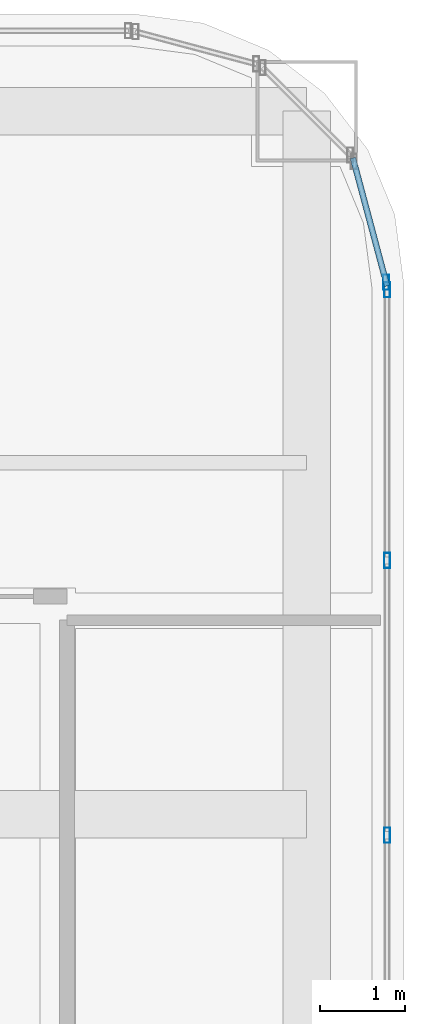
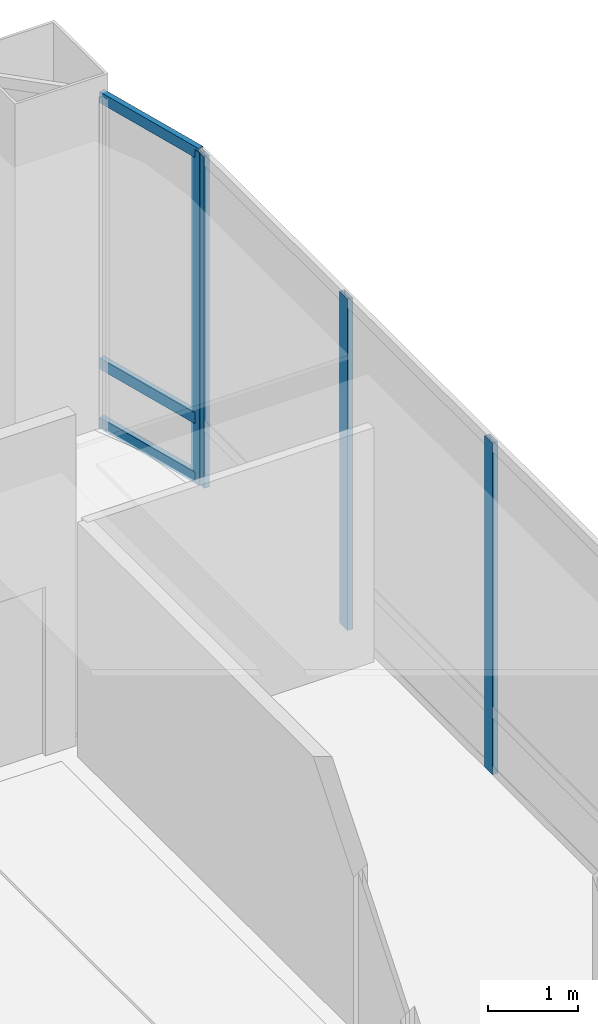
# One storey, part 31 of 45: 7 members, 2 elements without a shape of their own.
"""IFC4 building model written with IfcOpenShell, lengths in metres."""

import ifcopenshell
import ifcopenshell.guid

model = None  # the IFC model being written
_history = None  # IfcOwnerHistory: only IFC2X3 demands one
_inside = {}  # id of a spatial element -> (the spatial element, [elements in it])
_under = {}  # id of a project, library or spatial element -> (it, [spatial elements below it])
_declared = {}  # id of a project -> (the project, [libraries it declares])
_typed = {}  # id of a type object -> (the type object, [elements of that type])
_made_of = {}  # id of a material, layer set ... -> (it, [elements and type objects made of it])


def new_model(schema):
    """Start an empty IFC model of exactly this schema.

    Asked for "IFC4X3", IfcOpenShell would pick the latest addendum, in which some entities
    have other attributes; the version numbers below select the first issue.
    IFC2X3 requires an IfcOwnerHistory on every rooted entity: one is made here for all.
    """
    global model, _history
    if schema == "IFC4X3":
        model = ifcopenshell.file(schema_version=(4, 3, 0, 0))
    else:
        model = ifcopenshell.file(schema=schema)
    _inside.clear()
    _under.clear()
    _declared.clear()
    _typed.clear()
    _made_of.clear()
    _history = None
    if model.schema == "IFC2X3":
        org = make("IfcOrganization", Name="unknown")
        user = make(
            "IfcPersonAndOrganization",
            ThePerson=make("IfcPerson", FamilyName="unknown"),
            TheOrganization=org,
        )
        app = make(
            "IfcApplication",
            ApplicationDeveloper=org,
            Version="unknown",
            ApplicationFullName="unknown",
            ApplicationIdentifier="unknown",
        )
        _history = make(
            "IfcOwnerHistory",
            OwningUser=user,
            OwningApplication=app,
            ChangeAction="ADDED",
            CreationDate=0,
        )
    return model


def make(cls, **values):
    """One entity of the class cls with the attributes given. An attribute that is None is left unset."""
    return model.create_entity(
        cls, **{name: value for name, value in values.items() if value is not None}
    )


def rooted(cls, **values):
    """An entity with a GlobalId (a new one), such as an element, a storey or a relation."""
    return make(cls, GlobalId=ifcopenshell.guid.new(), OwnerHistory=_history, **values)


def si_unit(unit_type, name, prefix=None):
    """IfcSIUnit, for example si_unit("LENGTHUNIT", "METRE", prefix="MILLI")."""
    return make("IfcSIUnit", UnitType=unit_type, Prefix=prefix, Name=name)


def assignment(units):
    """IfcUnitAssignment: the units of a project."""
    return None if units is None else make("IfcUnitAssignment", Units=units)


def point(xyz):
    """IfcCartesianPoint."""
    return None if xyz is None else make("IfcCartesianPoint", Coordinates=xyz)


def direction(xyz):
    """IfcDirection."""
    return None if xyz is None else make("IfcDirection", DirectionRatios=xyz)


def frame(location, z_axis=None, x_axis=None):
    """IfcAxis2Placement3D, a coordinate frame: its origin and axes. An axis left out is left unset."""
    return make(
        "IfcAxis2Placement3D",
        Location=point(location),
        Axis=direction(z_axis),
        RefDirection=direction(x_axis),
    )


def frame_2d(location, x_axis=None):
    """IfcAxis2Placement2D, a coordinate frame in the plane: its origin and x axis."""
    return make(
        "IfcAxis2Placement2D", Location=point(location), RefDirection=direction(x_axis)
    )


def origin():
    """The frame at (0, 0, 0) with its axes left unset."""
    return frame((0.0, 0.0, 0.0))


def origin_2d():
    """The frame at (0, 0) in the plane with its x axis left unset."""
    return frame_2d((0.0, 0.0))


def place(relative_to, where):
    """IfcLocalPlacement: puts the frame where relative to a parent placement (None: the world)."""
    return make(
        "IfcLocalPlacement", PlacementRelTo=relative_to, RelativePlacement=where
    )


def context(
    kind, dimensions, precision=None, world=None, true_north=None, identifier=None
):
    """IfcGeometricRepresentationContext, for example the 3D "Model" context."""
    return make(
        "IfcGeometricRepresentationContext",
        ContextIdentifier=identifier,
        ContextType=kind,
        CoordinateSpaceDimension=dimensions,
        Precision=precision,
        WorldCoordinateSystem=world,
        TrueNorth=true_north,
    )


def subcontext(parent, identifier, kind, view, scale=None):
    """IfcGeometricRepresentationSubContext, for example "Body" below "Model"."""
    return make(
        "IfcGeometricRepresentationSubContext",
        ContextIdentifier=identifier,
        ContextType=kind,
        ParentContext=parent,
        TargetScale=scale,
        TargetView=view,
    )


def project(units=None, contexts=None):
    """IfcProject with its units and contexts."""
    return rooted(
        "IfcProject",
        Name="project",
        RepresentationContexts=contexts,
        UnitsInContext=assignment(units),
    )


def spatial(cls, under=None, at=None, **own):
    """A site, building, storey or space (cls), placed at a placement, below another one or the project."""
    s = rooted(cls, ObjectPlacement=at, **own)
    if under is not None:
        _under.setdefault(under.id(), (under, []))[1].append(s)
    return s


def profile(cls, at=None, kind="AREA", **sizes):
    """A parametric profile (cls). Its sizes go by their IFC names, for example OverallWidth=200.0."""
    return make(cls, ProfileType=kind, Position=at, **sizes)


def hollow_rectangle(**sizes):
    """IfcRectangleHollowProfileDef."""
    return profile("IfcRectangleHollowProfileDef", **sizes)


def extrude(swept, where, along, depth):
    """IfcExtrudedAreaSolid: the profile swept, set in the frame where, extruded along a direction by depth."""
    return make(
        "IfcExtrudedAreaSolid",
        SweptArea=swept,
        Position=where,
        ExtrudedDirection=direction(along),
        Depth=depth,
    )


def shape(context_of_items, identifier, shape_type, items):
    """IfcShapeRepresentation: the items that make up one representation, for example the "Body"."""
    return make(
        "IfcShapeRepresentation",
        ContextOfItems=context_of_items,
        RepresentationIdentifier=identifier,
        RepresentationType=shape_type,
        Items=items,
    )


def material(Name=None, Category=None):
    """IfcMaterial."""
    return make("IfcMaterial", Name=Name, Category=Category)


def material_profile(
    of_material, cross_section, Name=None, Category=None, Priority=None
):
    """IfcMaterialProfile: a cross section and its material."""
    return make(
        "IfcMaterialProfile",
        Name=Name,
        Material=of_material,
        Profile=cross_section,
        Priority=Priority,
        Category=Category,
    )


def profile_set(profiles, Name=None, composite=None):
    """IfcMaterialProfileSet."""
    return make(
        "IfcMaterialProfileSet",
        Name=Name,
        MaterialProfiles=profiles,
        CompositeProfile=composite,
    )


def made_of(thing, what):
    """Note that an element or type object is made of a material, layer set ...; save() writes the relation."""
    if what is not None:
        _made_of.setdefault(what.id(), (what, []))[1].append(thing)
    return thing


def type_object(cls, material=None, **own):
    """A type object (cls), such as IfcWallType, which elements share."""
    return made_of(rooted(cls, **own), material)


def element(
    cls,
    number,
    at=None,
    inside=None,
    cuts=None,
    type_object=None,
    material=None,
    context=None,
    identifier="Body",
    shape_type=None,
    held_by="IfcProductDefinitionShape",
    body=None,
    shapes=None,
    **own,
):
    """One element of the class cls, such as IfcWall. Its Tag is "e" and its number.

    at: its placement. inside: the storey or other place that contains it. cuts: it is an
    opening in that element (IfcRelVoidsElement). A single representation is given by context,
    identifier, shape_type and body (its items); several are given by shapes. held_by: the class
    of the entity that holds the representations. save() writes the other relations.
    """
    e = rooted(cls, Tag="e%d" % number, ObjectPlacement=at, **own)
    if body is not None:
        shapes = [shape(context, identifier, shape_type, body)]
    if shapes is not None:
        e.Representation = make(held_by, Representations=shapes)
    if inside is not None:
        _inside.setdefault(inside.id(), (inside, []))[1].append(e)
    if cuts is not None:
        rooted(
            "IfcRelVoidsElement", RelatingBuildingElement=cuts, RelatedOpeningElement=e
        )
    if type_object is not None:
        _typed.setdefault(type_object.id(), (type_object, []))[1].append(e)
    return made_of(e, material)


def aggregate(whole, parts):
    """IfcRelAggregates: a whole, such as a stair, and the parts it consists of."""
    return rooted("IfcRelAggregates", RelatingObject=whole, RelatedObjects=parts)


def save(model, path):
    """Write the relations noted so far, then the file.

    IfcRelAggregates (storeys below a building ...), IfcRelContainedInSpatialStructure (elements
    in a storey), IfcRelDefinesByType, IfcRelAssociatesMaterial and IfcRelDeclares: one each for
    every whole, place, type object, material and project.
    """
    for whole, parts in _under.values():
        aggregate(whole, parts)
    for where, things in _inside.values():
        rooted(
            "IfcRelContainedInSpatialStructure",
            RelatedElements=things,
            RelatingStructure=where,
        )
    for kind, things in _typed.values():
        rooted("IfcRelDefinesByType", RelatedObjects=things, RelatingType=kind)
    for what, things in _made_of.values():
        rooted("IfcRelAssociatesMaterial", RelatedObjects=things, RelatingMaterial=what)
    for by, libraries in _declared.values():
        rooted("IfcRelDeclares", RelatingContext=by, RelatedDefinitions=libraries)
    model.write(path)


model = new_model("IFC4")

# Units and contexts
model_context = context("Model", 3, precision=1e-05, world=origin(), true_north=direction((0.0, 1.0)))
body_context = subcontext(model_context, "Body", "Model", "MODEL_VIEW")
ifc_project = project(units=[si_unit("LENGTHUNIT", "METRE"), si_unit("AREAUNIT", "SQUARE_METRE"), si_unit("VOLUMEUNIT", "CUBIC_METRE"), si_unit("PLANEANGLEUNIT", "RADIAN"), si_unit("MASSUNIT", "GRAM", prefix="KILO")], contexts=[model_context])

# Site, building, storey
site_placement = place(None, origin())
site = spatial("IfcSite", under=ifc_project, at=site_placement, CompositionType="ELEMENT")
building_placement = place(site_placement, origin())
building = spatial("IfcBuilding", under=site, at=building_placement, Name="Punatoya Terracotta Tower", CompositionType="ELEMENT")
storey_placement = place(building_placement, frame((0.0, 0.0, 339.0)))
storey = spatial("IfcBuildingStorey", under=building, at=storey_placement, Name="L80", CompositionType="ELEMENT", Elevation=339.0)

# Curtain wall, members
ifc_material_1 = material(Name="Aluminium 6063-T6 + Double Low-E Glass", Category="aluminium")
curtain_wall_type = type_object("IfcCurtainWallType", Name="CW-OBS", PredefinedType="NOTDEFINED", material=ifc_material_1)
curtain_wall_1_placement = place(storey_placement, origin())
curtain_wall_1 = element("IfcCurtainWall", 1, at=curtain_wall_1_placement, inside=storey, type_object=curtain_wall_type, Name="L80 Curtain Wall CW-L80-E05-1", PredefinedType="NOTDEFINED")
ifc_material_2 = material(Name="Aluminium 6063-T6", Category="aluminium")
ifc_material_profile_1 = material_profile(ifc_material_2, hollow_rectangle(XDim=0.070068359375, YDim=0.179931640625, WallThickness=0.00390625, at=origin_2d()))
ifc_profile_set_1 = profile_set([ifc_material_profile_1], Name="Aluminium 6063-T6")
member_type_1 = type_object("IfcMemberType", Name="CW-MUL-M3", PredefinedType="MULLION", material=ifc_profile_set_1)
member_1_placement = place(storey_placement, frame((20.050048828125, 8.95068359375, 0.0), z_axis=(0.0, 0.0, 1.0), x_axis=(1.0, 0.0, 0.0)))
member_1 = element("IfcMember", 2, at=member_1_placement, type_object=member_type_1, Name="CW-L80-E05-1 Mullion 09", PredefinedType="MULLION", context=body_context, shape_type="SweptSolid", body=[
    extrude(hollow_rectangle(XDim=0.070068359375, YDim=0.179931640625, WallThickness=0.00390625, at=origin_2d()), origin(), (0.0, 0.0, 1.0), 4.52001953125),
])
member_2_placement = place(storey_placement, frame((20.050048828125, 12.19384765625, 0.0), z_axis=(0.0, 0.0, 1.0), x_axis=(1.0, 0.0, 0.0)))
member_2 = element("IfcMember", 3, at=member_2_placement, type_object=member_type_1, Name="CW-L80-E05-1 Mullion 10", PredefinedType="MULLION", context=body_context, shape_type="SweptSolid", body=[
    extrude(hollow_rectangle(XDim=0.070068359375, YDim=0.179931640625, WallThickness=0.00390625, at=origin_2d()), origin(), (0.0, 0.0, 1.0), 4.52001953125),
])
member_3_placement = place(storey_placement, frame((20.050048828125, 15.391845703125, 0.0), z_axis=(0.0, 0.0, 1.0), x_axis=(1.0, 0.0, 0.0)))
member_3 = element("IfcMember", 4, at=member_3_placement, type_object=member_type_1, Name="CW-L80-E05-1 Mullion 11", PredefinedType="MULLION", context=body_context, shape_type="SweptSolid", body=[
    extrude(hollow_rectangle(XDim=0.070068359375, YDim=0.179931640625, WallThickness=0.00390625, at=origin_2d()), origin(), (0.0, 0.0, 1.0), 4.52001953125),
])
aggregate(curtain_wall_1, [member_1, member_2, member_3])

curtain_wall_2_placement = place(storey_placement, origin())
curtain_wall_2 = element("IfcCurtainWall", 5, at=curtain_wall_2_placement, inside=storey, type_object=curtain_wall_type, Name="L80 Curtain Wall CW-L80-CRN06", PredefinedType="NOTDEFINED")
member_4_placement = place(storey_placement, frame((20.038330078125, 15.48046875, 0.0), z_axis=(0.0, 0.0, 1.0), x_axis=(1.0, 0.0, 0.0)))
member_4 = element("IfcMember", 6, at=member_4_placement, type_object=member_type_1, Name="CW-L80-CRN06 Mullion 00", PredefinedType="MULLION", context=body_context, shape_type="SweptSolid", body=[
    extrude(hollow_rectangle(XDim=0.070068359375, YDim=0.179931640625, WallThickness=0.00390625, at=origin_2d()), origin(), (0.0, 0.0, 1.0), 4.52001953125),
])
ifc_material_profile_2 = material_profile(ifc_material_2, hollow_rectangle(XDim=0.068115234375, YDim=0.14990234375, WallThickness=0.00390625, at=origin_2d()))
ifc_profile_set_2 = profile_set([ifc_material_profile_2], Name="Aluminium 6063-T6")
member_type_2 = type_object("IfcMemberType", Name="CW-TRN-TYP", PredefinedType="USERDEFINED", material=ifc_profile_set_2)
member_5_placement = place(storey_placement, frame((20.050048828125, 15.43701171875, 0.0400390625), z_axis=(-0.257847112249, 0.966185730957, 0.0), x_axis=(-0.966185730957, -0.257847112249, 0.0)))
member_5 = element("IfcMember", 7, at=member_5_placement, type_object=member_type_2, Name="CW-L80-CRN06 Transom 1", ObjectType="TRANSOM", PredefinedType="USERDEFINED", context=body_context, shape_type="SweptSolid", body=[
    extrude(hollow_rectangle(XDim=0.068115234375, YDim=0.14990234375, WallThickness=0.00390625, at=origin_2d()), origin(), (0.0, 0.0, 1.0), 1.565185546875),
])
member_6_placement = place(storey_placement, frame((20.050048828125, 15.43701171875, 0.85009765625), z_axis=(-0.257847112249, 0.966185730957, 0.0), x_axis=(-0.966185730957, -0.257847112249, 0.0)))
member_6 = element("IfcMember", 8, at=member_6_placement, type_object=member_type_2, Name="CW-L80-CRN06 Transom 2", ObjectType="TRANSOM", PredefinedType="USERDEFINED", context=body_context, shape_type="SweptSolid", body=[
    extrude(hollow_rectangle(XDim=0.068115234375, YDim=0.14990234375, WallThickness=0.00390625, at=origin_2d()), origin(), (0.0, 0.0, 1.0), 1.565185546875),
])
member_7_placement = place(storey_placement, frame((20.050048828125, 15.43701171875, 4.47998046875), z_axis=(-0.257847112249, 0.966185730957, 0.0), x_axis=(-0.966185730957, -0.257847112249, 0.0)))
member_7 = element("IfcMember", 9, at=member_7_placement, type_object=member_type_2, Name="CW-L80-CRN06 Transom 3", ObjectType="TRANSOM", PredefinedType="USERDEFINED", context=body_context, shape_type="SweptSolid", body=[
    extrude(hollow_rectangle(XDim=0.068115234375, YDim=0.14990234375, WallThickness=0.00390625, at=origin_2d()), origin(), (0.0, 0.0, 1.0), 1.565185546875),
])
aggregate(curtain_wall_2, [member_4, member_5, member_6, member_7])

save(model, "model.ifc")
